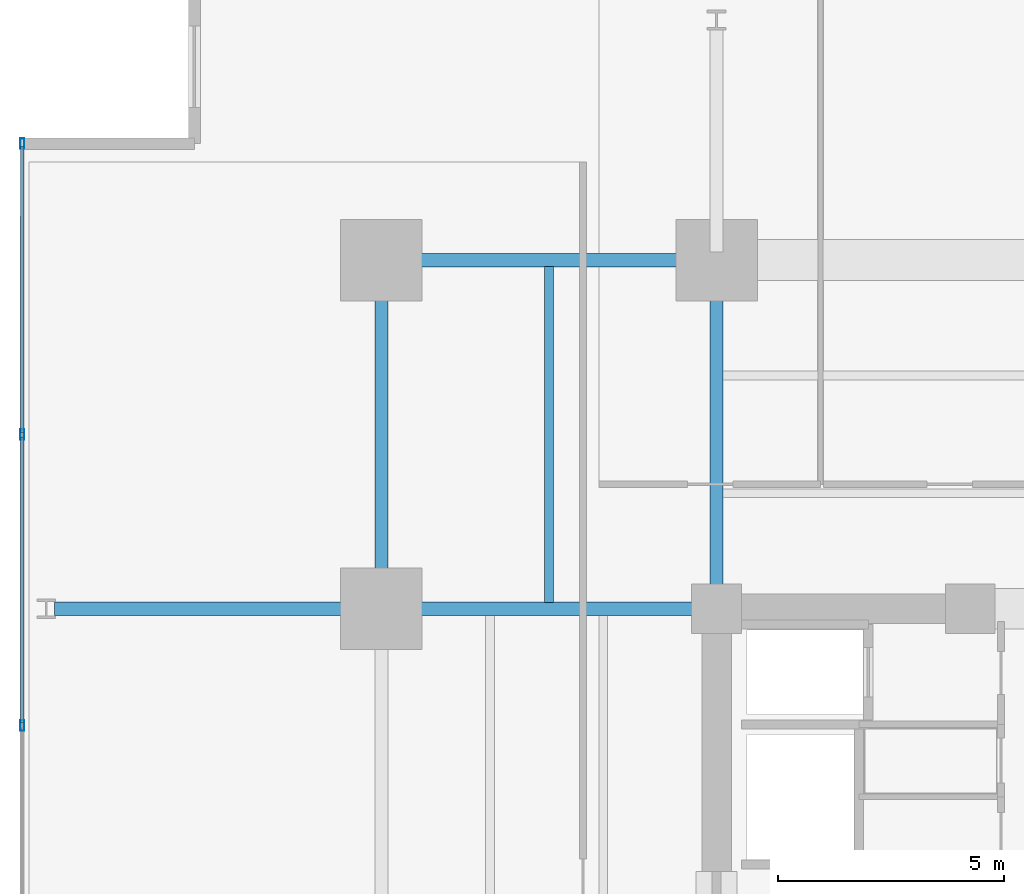
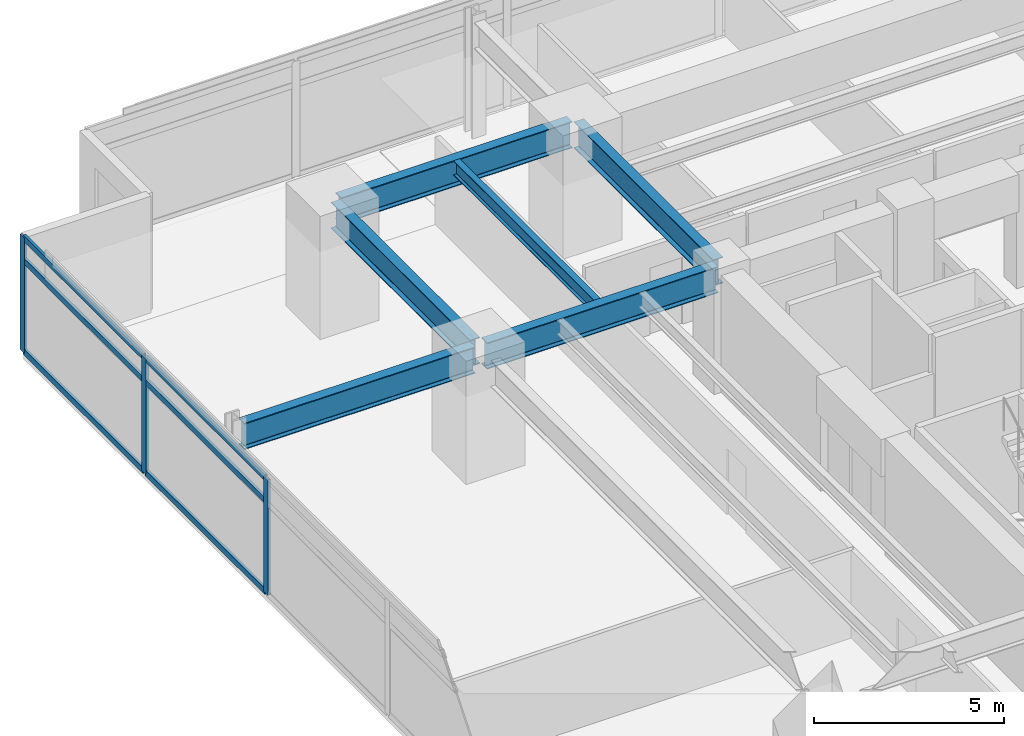
# One storey, part 6 of 21: 9 members, 6 beams, 1 element without a shape of its own.
"""IFC4 building model written with IfcOpenShell, lengths in metres."""

from ifc_helpers import new_model, si_unit, direction, frame, origin, origin_2d, place, context, subcontext, project, spatial, hollow_rectangle, i_section, extrude, material, material_profile, profile_set, type_object, element, aggregate, save


model = new_model("IFC4")

# Units and contexts
model_context = context("Model", 3, precision=1e-05, world=origin(), true_north=direction((0.0, 1.0)))
body_context = subcontext(model_context, "Body", "Model", "MODEL_VIEW")
ifc_project = project(units=[si_unit("LENGTHUNIT", "METRE"), si_unit("AREAUNIT", "SQUARE_METRE"), si_unit("VOLUMEUNIT", "CUBIC_METRE"), si_unit("PLANEANGLEUNIT", "RADIAN"), si_unit("MASSUNIT", "GRAM", prefix="KILO")], contexts=[model_context])

# Site, building, storey
site_placement = place(None, origin())
site = spatial("IfcSite", under=ifc_project, at=site_placement, CompositionType="ELEMENT")
building_placement = place(site_placement, origin())
building = spatial("IfcBuilding", under=site, at=building_placement, Name="Kovane Verandah Tower", CompositionType="ELEMENT")
storey_placement = place(building_placement, frame((0.0, 0.0, 87.60009765625)))
storey = spatial("IfcBuildingStorey", under=building, at=storey_placement, Name="L20", CompositionType="ELEMENT", Elevation=87.60009765625)

# Beams
ifc_material_1 = material(Name="Steel S355", Category="steel")
ifc_material_profile_1 = material_profile(ifc_material_1, i_section(OverallWidth=0.293701171875, OverallDepth=0.850830078125, WebThickness=0.01611328125, FlangeThickness=0.02685546875, FilletRadius=0.017822265625, at=origin_2d()), Name="UB838x292x226")
ifc_profile_set_1 = profile_set([ifc_material_profile_1], Name="Steel S355")
beam_type_1 = type_object("IfcBeamType", Name="BM-UB838x226", PredefinedType="BEAM", material=ifc_profile_set_1)
beam_1_placement = place(storey_placement, frame((21.780029296875, 44.199951171875, 3.33447265625), z_axis=(1.0, 0.0, 0.0), x_axis=(0.0, 1.0, 0.0)))
element("IfcBeam", 1, at=beam_1_placement, inside=storey, type_object=beam_type_1, Name="L20 Primary Tower Girder G-RN1", PredefinedType="BEAM", context=body_context, shape_type="SweptSolid", body=[
    extrude(i_section(OverallWidth=0.293701171875, OverallDepth=0.850830078125, WebThickness=0.01611328125, FlangeThickness=0.02685546875, FilletRadius=0.017822265625, at=origin_2d()), origin(), (0.0, 0.0, 1.0), 7.0400390625),
])
beam_2_placement = place(storey_placement, frame((21.60009765625, 36.679931640625, 3.33447265625), z_axis=(0.0, 1.0, 0.0), x_axis=(-1.0, 0.0, 0.0)))
element("IfcBeam", 2, at=beam_2_placement, inside=storey, type_object=beam_type_1, Name="L20 Primary Tower Girder G-RW3", PredefinedType="BEAM", context=body_context, shape_type="SweptSolid", body=[
    extrude(i_section(OverallWidth=0.293701171875, OverallDepth=0.850830078125, WebThickness=0.01611328125, FlangeThickness=0.02685546875, FilletRadius=0.017822265625, at=origin_2d()), origin(), (0.0, 0.0, 1.0), 7.340087890625),
])
beam_3_placement = place(storey_placement, frame((28.820068359375, 36.5, 3.33447265625), z_axis=(-1.0, 0.0, 0.0), x_axis=(0.0, -1.0, 0.0)))
element("IfcBeam", 3, at=beam_3_placement, inside=storey, type_object=beam_type_1, Name="L20 Primary Tower Girder G-W2", PredefinedType="BEAM", context=body_context, shape_type="SweptSolid", body=[
    extrude(i_section(OverallWidth=0.293701171875, OverallDepth=0.850830078125, WebThickness=0.01611328125, FlangeThickness=0.02685546875, FilletRadius=0.017822265625, at=origin_2d()), origin(), (0.0, 0.0, 1.0), 7.0400390625),
])
beam_4_placement = place(storey_placement, frame((29.0, 36.679931640625, 3.33447265625), z_axis=(0.0, 1.0, 0.0), x_axis=(-1.0, 0.0, 0.0)))
element("IfcBeam", 4, at=beam_4_placement, inside=storey, type_object=beam_type_1, Name="L20 Primary Tower Girder G-N1", PredefinedType="BEAM", context=body_context, shape_type="SweptSolid", body=[
    extrude(i_section(OverallWidth=0.293701171875, OverallDepth=0.850830078125, WebThickness=0.01611328125, FlangeThickness=0.02685546875, FilletRadius=0.017822265625, at=origin_2d()), origin(), (0.0, 0.0, 1.0), 7.340087890625),
])
beam_5_placement = place(storey_placement, frame((21.419921875, 36.5, 3.33447265625), z_axis=(-1.0, 0.0, 0.0), x_axis=(0.0, -1.0, 0.0)))
element("IfcBeam", 5, at=beam_5_placement, inside=storey, type_object=beam_type_1, Name="L20 Primary Tower Girder G-VW2", PredefinedType="BEAM", context=body_context, shape_type="SweptSolid", body=[
    extrude(i_section(OverallWidth=0.293701171875, OverallDepth=0.850830078125, WebThickness=0.01611328125, FlangeThickness=0.02685546875, FilletRadius=0.017822265625, at=origin_2d()), origin(), (0.0, 0.0, 1.0), 7.0400390625),
])

# Curtain wall, members
ifc_material_2 = material(Name="Champagne Anodised Aluminium Frame with Low-E Clear Laminated Glass", Category="aluminium")
curtain_wall_type = type_object("IfcCurtainWallType", Name="CW-SYS-02-LOW", PredefinedType="NOTDEFINED", material=ifc_material_2)
curtain_wall_placement = place(storey_placement, origin())
curtain_wall = element("IfcCurtainWall", 6, at=curtain_wall_placement, inside=storey, type_object=curtain_wall_type, Name="L20 W Unitised Curtain Wall", PredefinedType="NOTDEFINED")
ifc_material_3 = material(Name="Champagne Anodised Aluminium 6063-T6", Category="aluminium")
ifc_material_profile_2 = material_profile(ifc_material_3, hollow_rectangle(XDim=0.0849609375, YDim=0.22998046875, WallThickness=0.00390625, at=origin_2d()), Name="AL85x230x4")
ifc_profile_set_2 = profile_set([ifc_material_profile_2], Name="Champagne Anodised Aluminium 6063-T6")
member_type_1 = type_object("IfcMemberType", Name="CW-MUL-85x230", PredefinedType="MULLION", material=ifc_profile_set_2)
member_1_placement = place(storey_placement, frame((13.670166015625, 46.77099609375, 0.02001953125), z_axis=(0.0, 0.0, 1.0), x_axis=(-1.0, 0.0, 0.0)))
member_1 = element("IfcMember", 7, at=member_1_placement, type_object=member_type_1, Name="L20 W Unitised Curtain Wall Mullion 1", PredefinedType="MULLION", context=body_context, shape_type="SweptSolid", body=[
    extrude(hollow_rectangle(XDim=0.0849609375, YDim=0.22998046875, WallThickness=0.00390625, at=origin_2d()), origin(), (0.0, 0.0, 1.0), 3.719970703125),
])
member_2_placement = place(storey_placement, frame((13.670166015625, 40.347412109375, 0.02001953125), z_axis=(0.0, 0.0, 1.0), x_axis=(-1.0, 0.0, 0.0)))
member_2 = element("IfcMember", 8, at=member_2_placement, type_object=member_type_1, Name="L20 W Unitised Curtain Wall Mullion 2", PredefinedType="MULLION", context=body_context, shape_type="SweptSolid", body=[
    extrude(hollow_rectangle(XDim=0.0849609375, YDim=0.22998046875, WallThickness=0.00390625, at=origin_2d()), origin(), (0.0, 0.0, 1.0), 3.719970703125),
])
member_3_placement = place(storey_placement, frame((13.670166015625, 33.923583984375, 0.02001953125), z_axis=(0.0, 0.0, 1.0), x_axis=(-1.0, 0.0, 0.0)))
member_3 = element("IfcMember", 9, at=member_3_placement, type_object=member_type_1, Name="L20 W Unitised Curtain Wall Mullion 3", PredefinedType="MULLION", context=body_context, shape_type="SweptSolid", body=[
    extrude(hollow_rectangle(XDim=0.0849609375, YDim=0.22998046875, WallThickness=0.00390625, at=origin_2d()), origin(), (0.0, 0.0, 1.0), 3.719970703125),
])
ifc_material_profile_3 = material_profile(ifc_material_3, hollow_rectangle(XDim=0.0849609375, YDim=0.18994140625, WallThickness=0.00390625, at=origin_2d()), Name="AL85x190x4")
ifc_profile_set_3 = profile_set([ifc_material_profile_3], Name="Champagne Anodised Aluminium 6063-T6")
member_type_2 = type_object("IfcMemberType", Name="CW-TRN-85x190", PredefinedType="USERDEFINED", material=ifc_profile_set_3)
member_4_placement = place(storey_placement, frame((13.670166015625, 46.720947265625, 0.0498046875), z_axis=(0.0, -1.0, 0.0), x_axis=(1.0, 0.0, 0.0)))
member_4 = element("IfcMember", 10, at=member_4_placement, type_object=member_type_2, Name="L20 W Unitised Curtain Wall Transom TB Bay 1", ObjectType="TRANSOM", PredefinedType="USERDEFINED", context=body_context, shape_type="SweptSolid", body=[
    extrude(hollow_rectangle(XDim=0.0849609375, YDim=0.18994140625, WallThickness=0.00390625, at=origin_2d()), origin(), (0.0, 0.0, 1.0), 6.32373046875),
])
member_5_placement = place(storey_placement, frame((13.670166015625, 46.720947265625, 2.97998046875), z_axis=(0.0, -1.0, 0.0), x_axis=(1.0, 0.0, 0.0)))
member_5 = element("IfcMember", 11, at=member_5_placement, type_object=member_type_2, Name="L20 W Unitised Curtain Wall Transom TM Bay 1", ObjectType="TRANSOM", PredefinedType="USERDEFINED", context=body_context, shape_type="SweptSolid", body=[
    extrude(hollow_rectangle(XDim=0.0849609375, YDim=0.18994140625, WallThickness=0.00390625, at=origin_2d()), origin(), (0.0, 0.0, 1.0), 6.32373046875),
])
member_6_placement = place(storey_placement, frame((13.670166015625, 46.720947265625, 3.7099609375), z_axis=(0.0, -1.0, 0.0), x_axis=(1.0, 0.0, 0.0)))
member_6 = element("IfcMember", 12, at=member_6_placement, type_object=member_type_2, Name="L20 W Unitised Curtain Wall Transom TT Bay 1", ObjectType="TRANSOM", PredefinedType="USERDEFINED", context=body_context, shape_type="SweptSolid", body=[
    extrude(hollow_rectangle(XDim=0.0849609375, YDim=0.18994140625, WallThickness=0.00390625, at=origin_2d()), origin(), (0.0, 0.0, 1.0), 6.32373046875),
])
member_7_placement = place(storey_placement, frame((13.670166015625, 40.29736328125, 0.0498046875), z_axis=(0.0, -1.0, 0.0), x_axis=(1.0, 0.0, 0.0)))
member_7 = element("IfcMember", 13, at=member_7_placement, type_object=member_type_2, Name="L20 W Unitised Curtain Wall Transom TB Bay 2", ObjectType="TRANSOM", PredefinedType="USERDEFINED", context=body_context, shape_type="SweptSolid", body=[
    extrude(hollow_rectangle(XDim=0.0849609375, YDim=0.18994140625, WallThickness=0.00390625, at=origin_2d()), origin(), (0.0, 0.0, 1.0), 6.32373046875),
])
member_8_placement = place(storey_placement, frame((13.670166015625, 40.29736328125, 2.97998046875), z_axis=(0.0, -1.0, 0.0), x_axis=(1.0, 0.0, 0.0)))
member_8 = element("IfcMember", 14, at=member_8_placement, type_object=member_type_2, Name="L20 W Unitised Curtain Wall Transom TM Bay 2", ObjectType="TRANSOM", PredefinedType="USERDEFINED", context=body_context, shape_type="SweptSolid", body=[
    extrude(hollow_rectangle(XDim=0.0849609375, YDim=0.18994140625, WallThickness=0.00390625, at=origin_2d()), origin(), (0.0, 0.0, 1.0), 6.32373046875),
])
member_9_placement = place(storey_placement, frame((13.670166015625, 40.29736328125, 3.7099609375), z_axis=(0.0, -1.0, 0.0), x_axis=(1.0, 0.0, 0.0)))
member_9 = element("IfcMember", 15, at=member_9_placement, type_object=member_type_2, Name="L20 W Unitised Curtain Wall Transom TT Bay 2", ObjectType="TRANSOM", PredefinedType="USERDEFINED", context=body_context, shape_type="SweptSolid", body=[
    extrude(hollow_rectangle(XDim=0.0849609375, YDim=0.18994140625, WallThickness=0.00390625, at=origin_2d()), origin(), (0.0, 0.0, 1.0), 6.32373046875),
])
aggregate(curtain_wall, [member_1, member_2, member_3, member_4, member_5, member_6, member_7, member_8, member_9])

# Beam
ifc_material_profile_4 = material_profile(ifc_material_1, i_section(OverallWidth=0.19287109375, OverallDepth=0.46728515625, WebThickness=0.011474609375, FlangeThickness=0.01953125, FilletRadius=0.01025390625, at=origin_2d()), Name="UB457x191x98")
ifc_profile_set_4 = profile_set([ifc_material_profile_4], Name="Steel S355")
beam_type_2 = type_object("IfcBeamType", Name="JST-UB457x98", PredefinedType="JOIST", material=ifc_profile_set_4)
beam_6_placement = place(storey_placement, frame((25.300048828125, 36.64501953125, 3.5263671875), z_axis=(0.0, 1.0, 0.0), x_axis=(-1.0, 0.0, 0.0)))
element("IfcBeam", 16, at=beam_6_placement, inside=storey, type_object=beam_type_2, Name="L20 Secondary Composite Joist J-NW1", PredefinedType="JOIST", context=body_context, shape_type="SweptSolid", body=[
    extrude(i_section(OverallWidth=0.19287109375, OverallDepth=0.46728515625, WebThickness=0.011474609375, FlangeThickness=0.01953125, FilletRadius=0.01025390625, at=origin_2d()), origin(), (0.0, 0.0, 1.0), 7.41015625),
])

save(model, "model.ifc")
